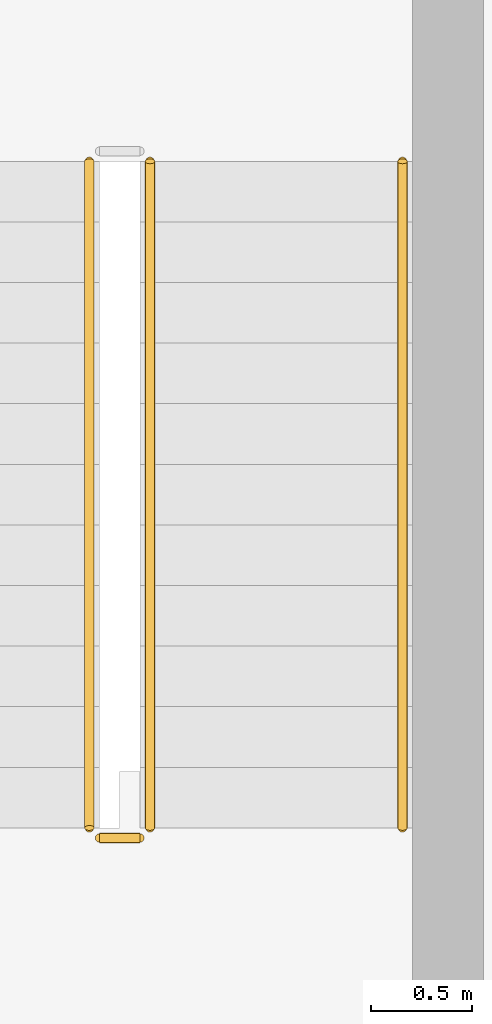
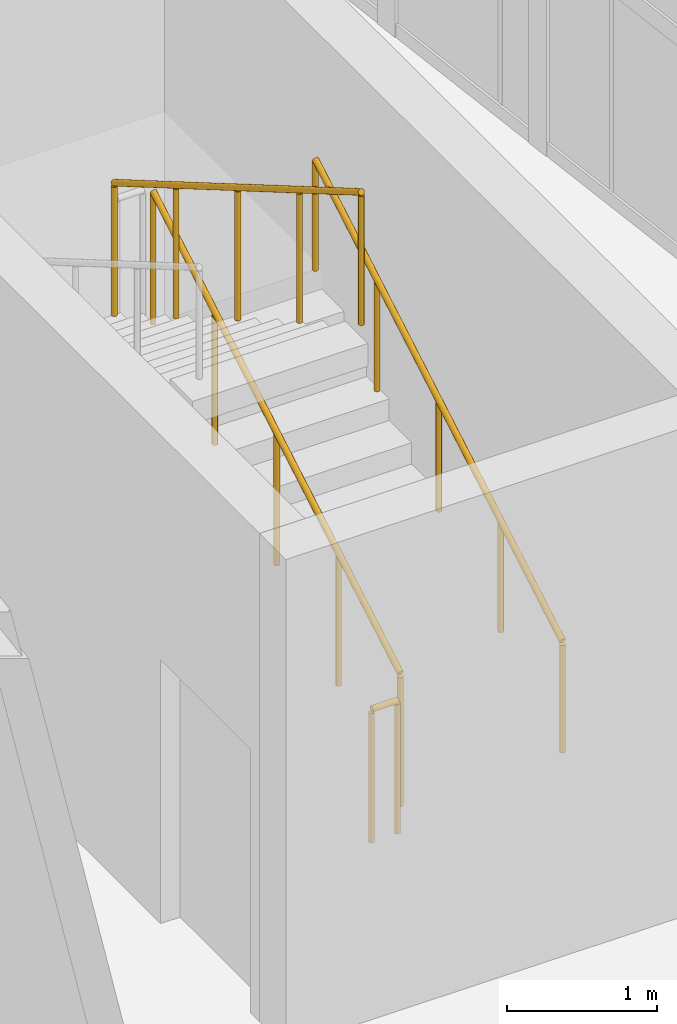
# One storey, part 140 of 148: 4 railings.
"""IFC4 building model written with IfcOpenShell, lengths in metres."""

from ifc_helpers import new_model, si_unit, direction, frame, origin, origin_2d, place, context, subcontext, project, spatial, circle, extrude, material, type_object, element, save


model = new_model("IFC4")

# Units and contexts
model_context = context("Model", 3, precision=1e-05, world=origin(), true_north=direction((0.0, 1.0)))
body_context = subcontext(model_context, "Body", "Model", "MODEL_VIEW")
ifc_project = project(units=[si_unit("LENGTHUNIT", "METRE"), si_unit("AREAUNIT", "SQUARE_METRE"), si_unit("VOLUMEUNIT", "CUBIC_METRE"), si_unit("PLANEANGLEUNIT", "RADIAN"), si_unit("MASSUNIT", "GRAM", prefix="KILO")], contexts=[model_context])

# Site, building, storey
site_placement = place(None, origin())
site = spatial("IfcSite", under=ifc_project, at=site_placement, CompositionType="ELEMENT")
building_placement = place(site_placement, origin())
building = spatial("IfcBuilding", under=site, at=building_placement, Name="Karori Crest Natural Sciences Institute", CompositionType="ELEMENT")
storey_placement = place(building_placement, frame((0.0, 0.0, 4.89990234375)))
storey = spatial("IfcBuildingStorey", under=building, at=storey_placement, Name="L01", CompositionType="ELEMENT", Elevation=4.89990234375)

# Railings
ifc_material_1 = material(Name="Stainless steel 316 tubular handrail", Category="steel")
railing_type_1 = type_object("IfcRailingType", Name="RLT-HND", PredefinedType="HANDRAIL", material=ifc_material_1)
railing_1_placement = place(storey_placement, frame((95.5, 47.10009765625, 0.175048828125)))
element("IfcRailing", 1, at=railing_1_placement, inside=storey, type_object=railing_type_1, Name="Stair handrail RL-0017", PredefinedType="HANDRAIL", context=body_context, shape_type="SweptSolid", body=[
    extrude(circle(Radius=0.02392578125, at=origin_2d()), frame((0.0, 0.0, 0.90087890625), z_axis=(0.0, 0.863760357493, 0.503902812876), x_axis=(-1.0, 0.0, 0.0)), (0.0, 0.0, 1.0), 3.8203125),
    extrude(circle(Radius=0.02099609375, at=origin_2d()), origin(), (0.0, 0.0, 1.0), 0.876953125),
    extrude(circle(Radius=0.02099609375, at=origin_2d()), frame((0.0, 0.824951171875, 0.481201171875)), (0.0, 0.0, 1.0), 0.876953125),
    extrude(circle(Radius=0.02099609375, at=origin_2d()), frame((0.0, 1.64990234375, 0.96240234375)), (0.0, 0.0, 1.0), 0.876953125),
    extrude(circle(Radius=0.02099609375, at=origin_2d()), frame((0.0, 2.474853515625, 1.44384765625)), (0.0, 0.0, 1.0), 0.876953125),
    extrude(circle(Radius=0.02099609375, at=origin_2d()), frame((0.0, 3.2998046875, 1.925048828125)), (0.0, 0.0, 1.0), 0.876953125),
])
ifc_material_2 = material(Name="Stainless steel 316 stair guard", Category="steel")
railing_type_2 = type_object("IfcRailingType", Name="RLT-STG", PredefinedType="GUARDRAIL", material=ifc_material_2)
railing_2_placement = place(storey_placement, frame((94.25, 47.10009765625, 0.175048828125)))
element("IfcRailing", 2, at=railing_2_placement, inside=storey, type_object=railing_type_2, Name="Stair guard RL-0013", PredefinedType="GUARDRAIL", context=body_context, shape_type="SweptSolid", body=[
    extrude(circle(Radius=0.02392578125, at=origin_2d()), frame((0.0, 0.0, 1.076171875), z_axis=(0.0, 0.863760357493, 0.503902812876), x_axis=(-1.0, 0.0, 0.0)), (0.0, 0.0, 1.0), 3.8203125),
    extrude(circle(Radius=0.02099609375, at=origin_2d()), origin(), (0.0, 0.0, 1.0), 1.052001953125),
    extrude(circle(Radius=0.02099609375, at=origin_2d()), frame((0.0, 0.824951171875, 0.481201171875)), (0.0, 0.0, 1.0), 1.052001953125),
    extrude(circle(Radius=0.02099609375, at=origin_2d()), frame((0.0, 1.64990234375, 0.96240234375)), (0.0, 0.0, 1.0), 1.052001953125),
    extrude(circle(Radius=0.02099609375, at=origin_2d()), frame((0.0, 2.474853515625, 1.44384765625)), (0.0, 0.0, 1.0), 1.052001953125),
    extrude(circle(Radius=0.02099609375, at=origin_2d()), frame((0.0, 3.2998046875, 1.925048828125)), (0.0, 0.0, 1.0), 1.052001953125),
])
railing_3_placement = place(storey_placement, frame((93.949951171875, 50.39990234375, 2.275146484375)))
element("IfcRailing", 3, at=railing_3_placement, inside=storey, type_object=railing_type_2, Name="Stair guard RL-0015", PredefinedType="GUARDRAIL", context=body_context, shape_type="SweptSolid", body=[
    extrude(circle(Radius=0.02392578125, at=origin_2d()), frame((0.0, 0.0, 1.076171875), z_axis=(0.0, -0.863760357493, 0.503902812876), x_axis=(1.0, 0.0, 0.0)), (0.0, 0.0, 1.0), 3.8203125),
    extrude(circle(Radius=0.02099609375, at=origin_2d()), origin(), (0.0, 0.0, 1.0), 1.052001953125),
    extrude(circle(Radius=0.02099609375, at=origin_2d()), frame((0.0, -0.824951171875, 0.481201171875)), (0.0, 0.0, 1.0), 1.052001953125),
    extrude(circle(Radius=0.02099609375, at=origin_2d()), frame((0.0, -1.64990234375, 0.96240234375)), (0.0, 0.0, 1.0), 1.052001953125),
    extrude(circle(Radius=0.02099609375, at=origin_2d()), frame((0.0, -2.474853515625, 1.44384765625)), (0.0, 0.0, 1.0), 1.052001953125),
    extrude(circle(Radius=0.02099609375, at=origin_2d()), frame((0.0, -3.2998046875, 1.925048828125)), (0.0, 0.0, 1.0), 1.052001953125),
])
railing_4_placement = place(storey_placement, frame((94.199951171875, 47.050048828125, 0.0)))
element("IfcRailing", 4, at=railing_4_placement, inside=storey, type_object=railing_type_2, Name="Stair guard RL-0016", PredefinedType="GUARDRAIL", context=body_context, shape_type="SweptSolid", body=[
    extrude(circle(Radius=0.02392578125, at=origin_2d()), frame((0.0, 0.0, 1.076171875), z_axis=(-1.0, 0.0, 0.0), x_axis=(0.0, -1.0, 0.0)), (0.0, 0.0, 1.0), 0.199951171875),
    extrude(circle(Radius=0.02099609375, at=origin_2d()), origin(), (0.0, 0.0, 1.0), 1.052001953125),
    extrude(circle(Radius=0.02099609375, at=origin_2d()), frame((-0.199951171875, 0.0, 0.0)), (0.0, 0.0, 1.0), 1.052001953125),
])

save(model, "model.ifc")
